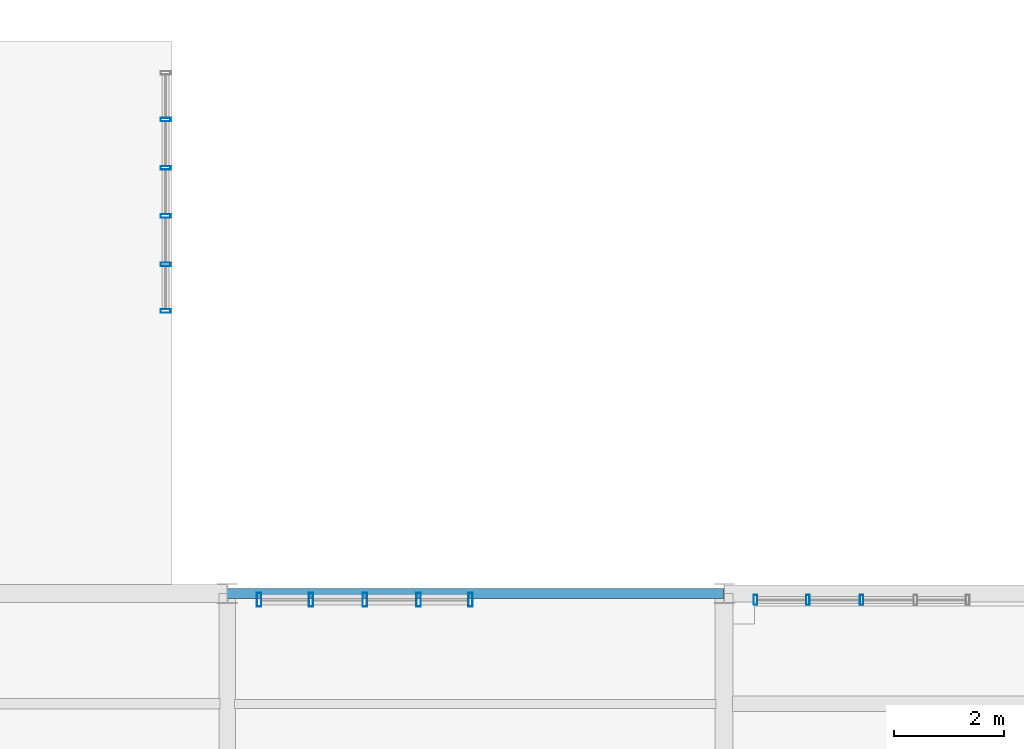
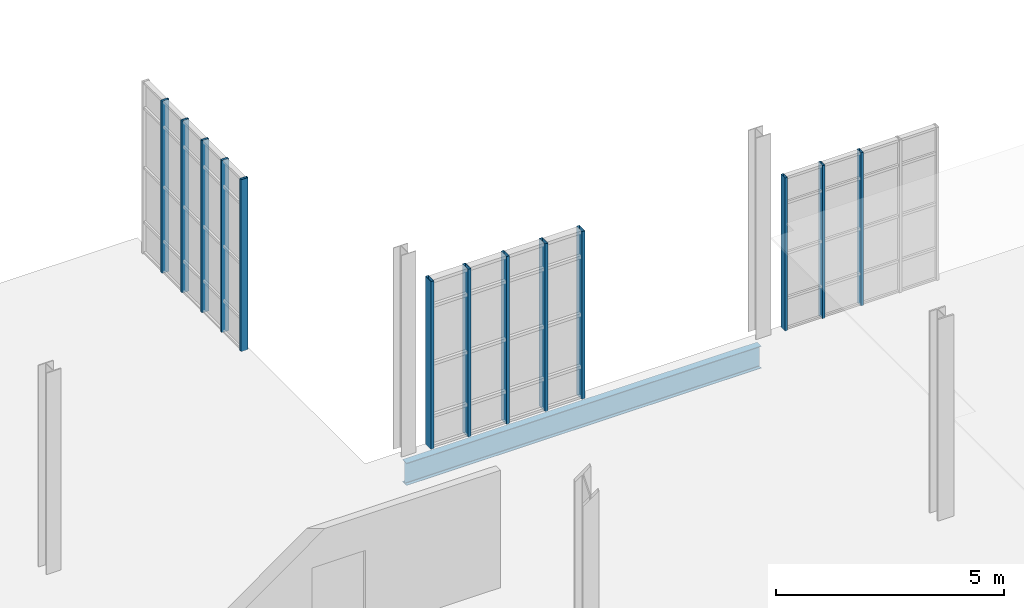
# One storey, part 78 of 189: 13 members, 1 beam, 3 elements without a shape of their own.
"""IFC4 building model written with IfcOpenShell, lengths in metres."""

from ifc_helpers import new_model, si_unit, direction, frame, origin, origin_2d, place, context, subcontext, project, spatial, hollow_rectangle, i_section, extrude, material, layer, layer_set, material_profile, profile_set, type_object, element, aggregate, save


model = new_model("IFC4")

# Units and contexts
model_context = context("Model", 3, precision=1e-05, world=origin(), true_north=direction((0.0, 1.0)))
body_context = subcontext(model_context, "Body", "Model", "MODEL_VIEW")
ifc_project = project(units=[si_unit("LENGTHUNIT", "METRE"), si_unit("AREAUNIT", "SQUARE_METRE"), si_unit("VOLUMEUNIT", "CUBIC_METRE"), si_unit("PLANEANGLEUNIT", "RADIAN"), si_unit("MASSUNIT", "GRAM", prefix="KILO"), si_unit("THERMODYNAMICTEMPERATUREUNIT", "KELVIN"), si_unit("POWERUNIT", "WATT")], contexts=[model_context])

# Site, building, storey
site_placement = place(None, origin())
site = spatial("IfcSite", under=ifc_project, at=site_placement, CompositionType="ELEMENT")
building_placement = place(site_placement, origin())
building = spatial("IfcBuilding", under=site, at=building_placement, Name="Zelmaris Science Centre", CompositionType="ELEMENT")
storey_placement = place(building_placement, origin())
storey = spatial("IfcBuildingStorey", under=building, at=storey_placement, Name="L00", CompositionType="ELEMENT", Elevation=0.0)

# Curtain wall, members
ifc_material_1 = material(Name="Anodised architectural aluminium 6063-T6", Category="aluminium")
ifc_layer_1 = layer(ifc_material_1, 0.2099609375, Name="Anodised architectural aluminium 6063-T6")
ifc_layer_set_1 = layer_set([ifc_layer_1], Name="Anodised architectural aluminium 6063-T6")
curtain_wall_type_1 = type_object("IfcCurtainWallType", Name="Curtain Wall CW-03", PredefinedType="USERDEFINED", material=ifc_layer_set_1)
curtain_wall_1_placement = place(storey_placement, origin())
curtain_wall_1 = element("IfcCurtainWall", 1, at=curtain_wall_1_placement, inside=storey, type_object=curtain_wall_type_1, Name="L00 Unitised curtain wall 91", ObjectType="GLAZED CURTAIN WALL", PredefinedType="USERDEFINED")
ifc_material_profile_1 = material_profile(ifc_material_1, hollow_rectangle(XDim=0.06494140625, YDim=0.179931640625, WallThickness=0.00390625, at=origin_2d()), Name="ALU-MUL-65X180")
ifc_profile_set_1 = profile_set([ifc_material_profile_1], Name="Anodised architectural aluminium 6063-T6")
member_type_1 = type_object("IfcMemberType", Name="ALU-MUL-65X180", PredefinedType="MULLION", material=ifc_profile_set_1)
member_1_placement = place(storey_placement, frame((115.8798828125, 64.5859375, -0.014892578125), z_axis=(0.0, 0.0, 1.0), x_axis=(6.981317e-06, -0.999999999976, 0.0)))
member_1 = element("IfcMember", 2, at=member_1_placement, type_object=member_type_1, Name="CW-03 mullion 2", PredefinedType="MULLION", context=body_context, shape_type="SweptSolid", body=[
    extrude(hollow_rectangle(XDim=0.06494140625, YDim=0.179931640625, WallThickness=0.00390625, at=origin_2d()), origin(), (0.0, 0.0, 1.0), 4.614990234375),
])
member_2_placement = place(storey_placement, frame((115.8798828125, 63.7119140625, -0.014892578125), z_axis=(0.0, 0.0, 1.0), x_axis=(6.981317e-06, -0.999999999976, 0.0)))
member_2 = element("IfcMember", 3, at=member_2_placement, type_object=member_type_1, Name="CW-03 mullion 3", PredefinedType="MULLION", context=body_context, shape_type="SweptSolid", body=[
    extrude(hollow_rectangle(XDim=0.06494140625, YDim=0.179931640625, WallThickness=0.00390625, at=origin_2d()), origin(), (0.0, 0.0, 1.0), 4.614990234375),
])
member_3_placement = place(storey_placement, frame((115.8798828125, 62.837890625, -0.014892578125), z_axis=(0.0, 0.0, 1.0), x_axis=(6.981317e-06, -0.999999999976, 0.0)))
member_3 = element("IfcMember", 4, at=member_3_placement, type_object=member_type_1, Name="CW-03 mullion 4", PredefinedType="MULLION", context=body_context, shape_type="SweptSolid", body=[
    extrude(hollow_rectangle(XDim=0.06494140625, YDim=0.179931640625, WallThickness=0.00390625, at=origin_2d()), origin(), (0.0, 0.0, 1.0), 4.614990234375),
])
member_4_placement = place(storey_placement, frame((115.8798828125, 61.9638671875, -0.014892578125), z_axis=(0.0, 0.0, 1.0), x_axis=(6.981317e-06, -0.999999999976, 0.0)))
member_4 = element("IfcMember", 5, at=member_4_placement, type_object=member_type_1, Name="CW-03 mullion 5", PredefinedType="MULLION", context=body_context, shape_type="SweptSolid", body=[
    extrude(hollow_rectangle(XDim=0.06494140625, YDim=0.179931640625, WallThickness=0.00390625, at=origin_2d()), origin(), (0.0, 0.0, 1.0), 4.614990234375),
])
member_5_placement = place(storey_placement, frame((115.8798828125, 61.118408203125, -0.014892578125), z_axis=(0.0, 0.0, 1.0), x_axis=(6.981317e-06, -0.999999999976, 0.0)))
member_5 = element("IfcMember", 6, at=member_5_placement, type_object=member_type_1, Name="CW-03 mullion 6", PredefinedType="MULLION", context=body_context, shape_type="SweptSolid", body=[
    extrude(hollow_rectangle(XDim=0.06494140625, YDim=0.179931640625, WallThickness=0.00390625, at=origin_2d()), origin(), (0.0, 0.0, 1.0), 4.614990234375),
])
aggregate(curtain_wall_1, [member_1, member_2, member_3, member_4, member_5])

curtain_wall_2_placement = place(storey_placement, origin())
curtain_wall_2 = element("IfcCurtainWall", 7, at=curtain_wall_2_placement, inside=storey, type_object=curtain_wall_type_1, Name="L00 Unitised curtain wall 95", ObjectType="GLAZED CURTAIN WALL", PredefinedType="USERDEFINED")
member_6_placement = place(storey_placement, frame((126.568603515625, 55.885009765625, -0.014892578125), z_axis=(0.0, 0.0, 1.0), x_axis=(0.999999981234, -0.000193731546, 0.0)))
member_6 = element("IfcMember", 8, at=member_6_placement, type_object=member_type_1, Name="CW-03 mullion 1", PredefinedType="MULLION", context=body_context, shape_type="SweptSolid", body=[
    extrude(hollow_rectangle(XDim=0.06494140625, YDim=0.179931640625, WallThickness=0.00390625, at=origin_2d()), origin(), (0.0, 0.0, 1.0), 4.10888671875),
])
member_7_placement = place(storey_placement, frame((127.514892578125, 55.885009765625, -0.014892578125), z_axis=(0.0, 0.0, 1.0), x_axis=(0.999999981234, -0.000193731546, 0.0)))
member_7 = element("IfcMember", 9, at=member_7_placement, type_object=member_type_1, Name="CW-03 mullion 2", PredefinedType="MULLION", context=body_context, shape_type="SweptSolid", body=[
    extrude(hollow_rectangle(XDim=0.06494140625, YDim=0.179931640625, WallThickness=0.00390625, at=origin_2d()), origin(), (0.0, 0.0, 1.0), 4.10888671875),
])
member_8_placement = place(storey_placement, frame((128.489990234375, 55.884765625, -0.014892578125), z_axis=(0.0, 0.0, 1.0), x_axis=(0.999999981234, -0.000193731546, 0.0)))
member_8 = element("IfcMember", 10, at=member_8_placement, type_object=member_type_1, Name="CW-03 mullion 3", PredefinedType="MULLION", context=body_context, shape_type="SweptSolid", body=[
    extrude(hollow_rectangle(XDim=0.06494140625, YDim=0.179931640625, WallThickness=0.00390625, at=origin_2d()), origin(), (0.0, 0.0, 1.0), 4.10888671875),
])
aggregate(curtain_wall_2, [member_6, member_7, member_8])

ifc_layer_2 = layer(ifc_material_1, 0.18994140625, Name="Anodised architectural aluminium 6063-T6")
ifc_layer_set_2 = layer_set([ifc_layer_2], Name="Anodised architectural aluminium 6063-T6")
curtain_wall_type_2 = type_object("IfcCurtainWallType", Name="Curtain Wall CW-01", PredefinedType="USERDEFINED", material=ifc_layer_set_2)
curtain_wall_3_placement = place(storey_placement, origin())
curtain_wall_3 = element("IfcCurtainWall", 11, at=curtain_wall_3_placement, inside=storey, type_object=curtain_wall_type_2, Name="L00 Unitised curtain wall 93", ObjectType="GLAZED CURTAIN WALL", PredefinedType="USERDEFINED")
ifc_material_profile_2 = material_profile(ifc_material_1, hollow_rectangle(XDim=0.080078125, YDim=0.25, WallThickness=0.0048828125, at=origin_2d()), Name="ALU-MUL-80X250")
ifc_profile_set_2 = profile_set([ifc_material_profile_2], Name="Anodised architectural aluminium 6063-T6")
member_type_2 = type_object("IfcMemberType", Name="ALU-MUL-80X250", PredefinedType="MULLION", material=ifc_profile_set_2)
member_9_placement = place(storey_placement, frame((117.575927734375, 55.88671875, -0.014892578125), z_axis=(0.0, 0.0, 1.0), x_axis=(0.999999981234, -0.000193731546, 0.0)))
member_9 = element("IfcMember", 12, at=member_9_placement, type_object=member_type_2, Name="CW-01 mullion 1", PredefinedType="MULLION", context=body_context, shape_type="SweptSolid", body=[
    extrude(hollow_rectangle(XDim=0.080078125, YDim=0.25, WallThickness=0.0048828125, at=origin_2d()), origin(), (0.0, 0.0, 1.0), 4.5009765625),
])
member_10_placement = place(storey_placement, frame((118.514892578125, 55.88671875, -0.014892578125), z_axis=(0.0, 0.0, 1.0), x_axis=(0.999999981234, -0.000193731546, 0.0)))
member_10 = element("IfcMember", 13, at=member_10_placement, type_object=member_type_2, Name="CW-01 mullion 2", PredefinedType="MULLION", context=body_context, shape_type="SweptSolid", body=[
    extrude(hollow_rectangle(XDim=0.080078125, YDim=0.25, WallThickness=0.0048828125, at=origin_2d()), origin(), (0.0, 0.0, 1.0), 4.5009765625),
])
member_11_placement = place(storey_placement, frame((119.489990234375, 55.886474609375, -0.014892578125), z_axis=(0.0, 0.0, 1.0), x_axis=(0.999999981234, -0.000193731546, 0.0)))
member_11 = element("IfcMember", 14, at=member_11_placement, type_object=member_type_2, Name="CW-01 mullion 3", PredefinedType="MULLION", context=body_context, shape_type="SweptSolid", body=[
    extrude(hollow_rectangle(XDim=0.080078125, YDim=0.25, WallThickness=0.0048828125, at=origin_2d()), origin(), (0.0, 0.0, 1.0), 4.5009765625),
])
member_12_placement = place(storey_placement, frame((120.465087890625, 55.88623046875, -0.014892578125), z_axis=(0.0, 0.0, 1.0), x_axis=(0.999999981234, -0.000193731546, 0.0)))
member_12 = element("IfcMember", 15, at=member_12_placement, type_object=member_type_2, Name="CW-01 mullion 4", PredefinedType="MULLION", context=body_context, shape_type="SweptSolid", body=[
    extrude(hollow_rectangle(XDim=0.080078125, YDim=0.25, WallThickness=0.0048828125, at=origin_2d()), origin(), (0.0, 0.0, 1.0), 4.5009765625),
])
member_13_placement = place(storey_placement, frame((121.404052734375, 55.885986328125, -0.014892578125), z_axis=(0.0, 0.0, 1.0), x_axis=(0.999999981234, -0.000193731546, 0.0)))
member_13 = element("IfcMember", 16, at=member_13_placement, type_object=member_type_2, Name="CW-01 mullion 5", PredefinedType="MULLION", context=body_context, shape_type="SweptSolid", body=[
    extrude(hollow_rectangle(XDim=0.080078125, YDim=0.25, WallThickness=0.0048828125, at=origin_2d()), origin(), (0.0, 0.0, 1.0), 4.5009765625),
])
aggregate(curtain_wall_3, [member_9, member_10, member_11, member_12, member_13])

# Beam
ifc_material_2 = material(Name="Steel ASTM A992 Grade 50", Category="steel")
ifc_material_profile_3 = material_profile(ifc_material_2, i_section(OverallWidth=0.177978515625, OverallDepth=0.59912109375, WebThickness=0.010009765625, FlangeThickness=0.0126953125, FilletRadius=0.014892578125, at=origin_2d()), Name="W24X55")
ifc_profile_set_3 = profile_set([ifc_material_profile_3], Name="Steel ASTM A992 Grade 50")
beam_type = type_object("IfcBeamType", Name="Beam G-38 W24X55", PredefinedType="BEAM", material=ifc_profile_set_3)
beam_placement = place(storey_placement, frame((117.0, 56.0, -0.589599609375), z_axis=(1.0, 0.0, 0.0), x_axis=(0.0, 1.0, 0.0)))
element("IfcBeam", 17, at=beam_placement, inside=storey, type_object=beam_type, Name="L00 East-west girder 151", PredefinedType="BEAM", context=body_context, shape_type="SweptSolid", body=[
    extrude(i_section(OverallWidth=0.177978515625, OverallDepth=0.59912109375, WebThickness=0.010009765625, FlangeThickness=0.0126953125, FilletRadius=0.014892578125, at=origin_2d()), origin(), (0.0, 0.0, 1.0), 9.0),
])

save(model, "model.ifc")
